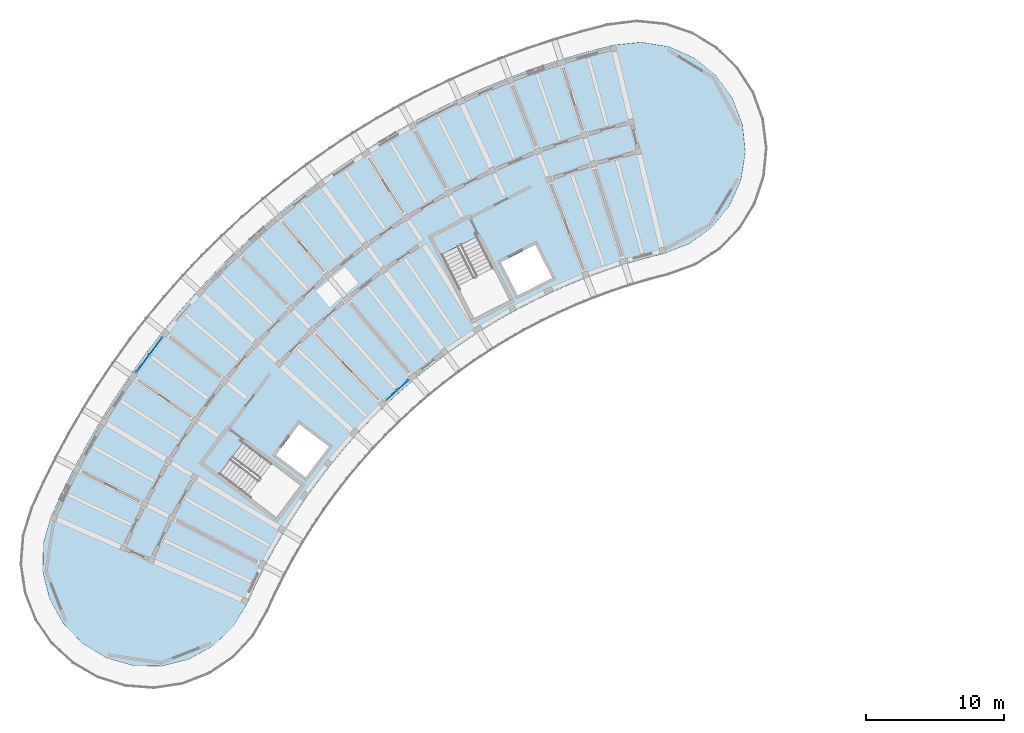
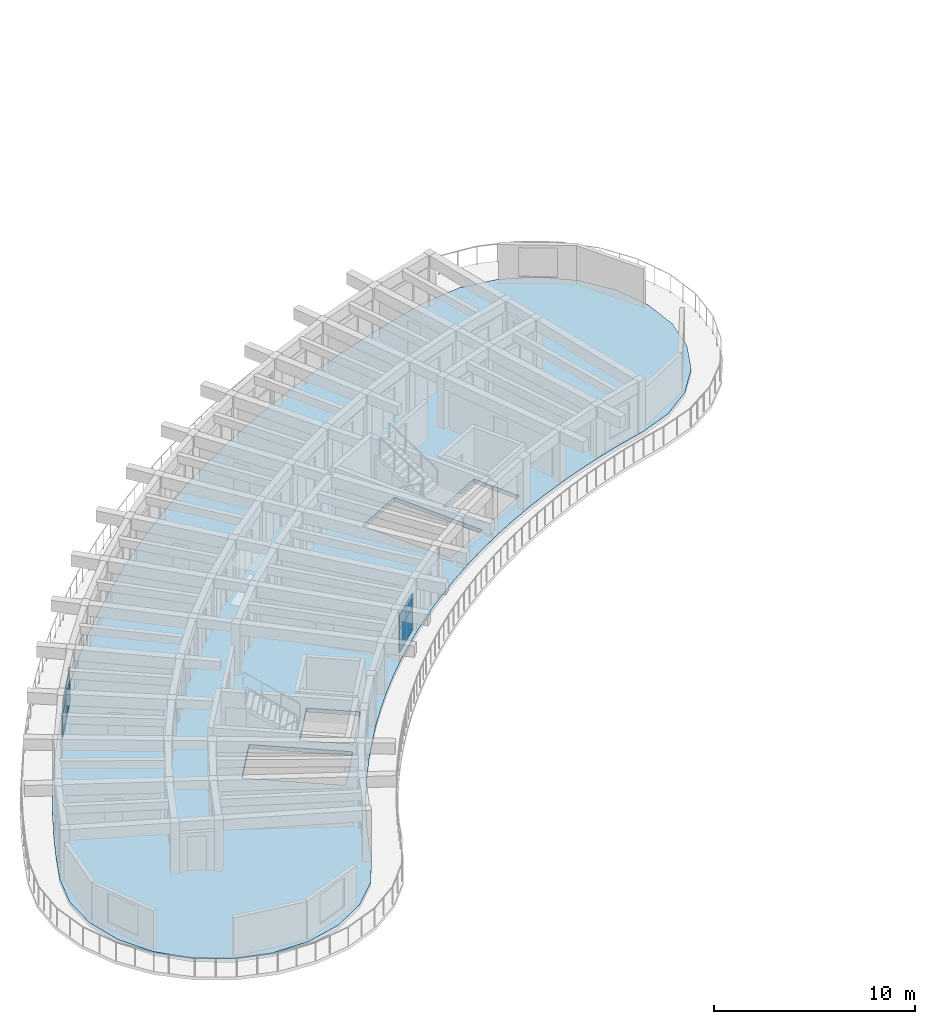
# One storey, part 15 of 32: 8 plates, 1 slab, 2 elements without a shape of their own.
"""IFC4 building model written with IfcOpenShell, lengths in metres."""

import ifcopenshell
import ifcopenshell.guid

model = None  # the IFC model being written
_history = None  # IfcOwnerHistory: only IFC2X3 demands one
_inside = {}  # id of a spatial element -> (the spatial element, [elements in it])
_under = {}  # id of a project, library or spatial element -> (it, [spatial elements below it])
_declared = {}  # id of a project -> (the project, [libraries it declares])
_typed = {}  # id of a type object -> (the type object, [elements of that type])
_made_of = {}  # id of a material, layer set ... -> (it, [elements and type objects made of it])


def new_model(schema):
    """Start an empty IFC model of exactly this schema.

    Asked for "IFC4X3", IfcOpenShell would pick the latest addendum, in which some entities
    have other attributes; the version numbers below select the first issue.
    IFC2X3 requires an IfcOwnerHistory on every rooted entity: one is made here for all.
    """
    global model, _history
    if schema == "IFC4X3":
        model = ifcopenshell.file(schema_version=(4, 3, 0, 0))
    else:
        model = ifcopenshell.file(schema=schema)
    _inside.clear()
    _under.clear()
    _declared.clear()
    _typed.clear()
    _made_of.clear()
    _history = None
    if model.schema == "IFC2X3":
        org = make("IfcOrganization", Name="unknown")
        user = make(
            "IfcPersonAndOrganization",
            ThePerson=make("IfcPerson", FamilyName="unknown"),
            TheOrganization=org,
        )
        app = make(
            "IfcApplication",
            ApplicationDeveloper=org,
            Version="unknown",
            ApplicationFullName="unknown",
            ApplicationIdentifier="unknown",
        )
        _history = make(
            "IfcOwnerHistory",
            OwningUser=user,
            OwningApplication=app,
            ChangeAction="ADDED",
            CreationDate=0,
        )
    return model


def make(cls, **values):
    """One entity of the class cls with the attributes given. An attribute that is None is left unset."""
    return model.create_entity(
        cls, **{name: value for name, value in values.items() if value is not None}
    )


def rooted(cls, **values):
    """An entity with a GlobalId (a new one), such as an element, a storey or a relation."""
    return make(cls, GlobalId=ifcopenshell.guid.new(), OwnerHistory=_history, **values)


def si_unit(unit_type, name, prefix=None):
    """IfcSIUnit, for example si_unit("LENGTHUNIT", "METRE", prefix="MILLI")."""
    return make("IfcSIUnit", UnitType=unit_type, Prefix=prefix, Name=name)


def assignment(units):
    """IfcUnitAssignment: the units of a project."""
    return None if units is None else make("IfcUnitAssignment", Units=units)


def point(xyz):
    """IfcCartesianPoint."""
    return None if xyz is None else make("IfcCartesianPoint", Coordinates=xyz)


def direction(xyz):
    """IfcDirection."""
    return None if xyz is None else make("IfcDirection", DirectionRatios=xyz)


def frame(location, z_axis=None, x_axis=None):
    """IfcAxis2Placement3D, a coordinate frame: its origin and axes. An axis left out is left unset."""
    return make(
        "IfcAxis2Placement3D",
        Location=point(location),
        Axis=direction(z_axis),
        RefDirection=direction(x_axis),
    )


def frame_2d(location, x_axis=None):
    """IfcAxis2Placement2D, a coordinate frame in the plane: its origin and x axis."""
    return make(
        "IfcAxis2Placement2D", Location=point(location), RefDirection=direction(x_axis)
    )


def origin():
    """The frame at (0, 0, 0) with its axes left unset."""
    return frame((0.0, 0.0, 0.0))


def origin_2d():
    """The frame at (0, 0) in the plane with its x axis left unset."""
    return frame_2d((0.0, 0.0))


def place(relative_to, where):
    """IfcLocalPlacement: puts the frame where relative to a parent placement (None: the world)."""
    return make(
        "IfcLocalPlacement", PlacementRelTo=relative_to, RelativePlacement=where
    )


def context(
    kind, dimensions, precision=None, world=None, true_north=None, identifier=None
):
    """IfcGeometricRepresentationContext, for example the 3D "Model" context."""
    return make(
        "IfcGeometricRepresentationContext",
        ContextIdentifier=identifier,
        ContextType=kind,
        CoordinateSpaceDimension=dimensions,
        Precision=precision,
        WorldCoordinateSystem=world,
        TrueNorth=true_north,
    )


def subcontext(parent, identifier, kind, view, scale=None):
    """IfcGeometricRepresentationSubContext, for example "Body" below "Model"."""
    return make(
        "IfcGeometricRepresentationSubContext",
        ContextIdentifier=identifier,
        ContextType=kind,
        ParentContext=parent,
        TargetScale=scale,
        TargetView=view,
    )


def project(units=None, contexts=None):
    """IfcProject with its units and contexts."""
    return rooted(
        "IfcProject",
        Name="project",
        RepresentationContexts=contexts,
        UnitsInContext=assignment(units),
    )


def spatial(cls, under=None, at=None, **own):
    """A site, building, storey or space (cls), placed at a placement, below another one or the project."""
    s = rooted(cls, ObjectPlacement=at, **own)
    if under is not None:
        _under.setdefault(under.id(), (under, []))[1].append(s)
    return s


def polyline(points):
    """IfcPolyline through the points."""
    return make("IfcPolyline", Points=[point(p) for p in points])


def profile(cls, at=None, kind="AREA", **sizes):
    """A parametric profile (cls). Its sizes go by their IFC names, for example OverallWidth=200.0."""
    return make(cls, ProfileType=kind, Position=at, **sizes)


def rectangle(**sizes):
    """IfcRectangleProfileDef."""
    return profile("IfcRectangleProfileDef", **sizes)


def outline(outer, holes=None, kind="AREA"):
    """IfcArbitraryClosedProfileDef: a profile drawn as a closed curve; with holes, ...WithVoids."""
    if holes is None:
        return make("IfcArbitraryClosedProfileDef", ProfileType=kind, OuterCurve=outer)
    return make(
        "IfcArbitraryProfileDefWithVoids",
        ProfileType=kind,
        OuterCurve=outer,
        InnerCurves=holes,
    )


def extrude(swept, where, along, depth):
    """IfcExtrudedAreaSolid: the profile swept, set in the frame where, extruded along a direction by depth."""
    return make(
        "IfcExtrudedAreaSolid",
        SweptArea=swept,
        Position=where,
        ExtrudedDirection=direction(along),
        Depth=depth,
    )


def shape(context_of_items, identifier, shape_type, items):
    """IfcShapeRepresentation: the items that make up one representation, for example the "Body"."""
    return make(
        "IfcShapeRepresentation",
        ContextOfItems=context_of_items,
        RepresentationIdentifier=identifier,
        RepresentationType=shape_type,
        Items=items,
    )


def material(Name=None, Category=None):
    """IfcMaterial."""
    return make("IfcMaterial", Name=Name, Category=Category)


def layer(
    of_material, thickness, ventilated=None, Name=None, Category=None, Priority=None
):
    """IfcMaterialLayer: one layer of a wall or slab, of a material (None: an air gap)."""
    return make(
        "IfcMaterialLayer",
        Material=of_material,
        LayerThickness=thickness,
        IsVentilated=ventilated,
        Name=Name,
        Category=Category,
        Priority=Priority,
    )


def layer_set(layers, Name=None):
    """IfcMaterialLayerSet."""
    return make("IfcMaterialLayerSet", MaterialLayers=layers, LayerSetName=Name)


def made_of(thing, what):
    """Note that an element or type object is made of a material, layer set ...; save() writes the relation."""
    if what is not None:
        _made_of.setdefault(what.id(), (what, []))[1].append(thing)
    return thing


def type_object(cls, material=None, **own):
    """A type object (cls), such as IfcWallType, which elements share."""
    return made_of(rooted(cls, **own), material)


def element(
    cls,
    number,
    at=None,
    inside=None,
    cuts=None,
    type_object=None,
    material=None,
    context=None,
    identifier="Body",
    shape_type=None,
    held_by="IfcProductDefinitionShape",
    body=None,
    shapes=None,
    **own,
):
    """One element of the class cls, such as IfcWall. Its Tag is "e" and its number.

    at: its placement. inside: the storey or other place that contains it. cuts: it is an
    opening in that element (IfcRelVoidsElement). A single representation is given by context,
    identifier, shape_type and body (its items); several are given by shapes. held_by: the class
    of the entity that holds the representations. save() writes the other relations.
    """
    e = rooted(cls, Tag="e%d" % number, ObjectPlacement=at, **own)
    if body is not None:
        shapes = [shape(context, identifier, shape_type, body)]
    if shapes is not None:
        e.Representation = make(held_by, Representations=shapes)
    if inside is not None:
        _inside.setdefault(inside.id(), (inside, []))[1].append(e)
    if cuts is not None:
        rooted(
            "IfcRelVoidsElement", RelatingBuildingElement=cuts, RelatedOpeningElement=e
        )
    if type_object is not None:
        _typed.setdefault(type_object.id(), (type_object, []))[1].append(e)
    return made_of(e, material)


def aggregate(whole, parts):
    """IfcRelAggregates: a whole, such as a stair, and the parts it consists of."""
    return rooted("IfcRelAggregates", RelatingObject=whole, RelatedObjects=parts)


def save(model, path):
    """Write the relations noted so far, then the file.

    IfcRelAggregates (storeys below a building ...), IfcRelContainedInSpatialStructure (elements
    in a storey), IfcRelDefinesByType, IfcRelAssociatesMaterial and IfcRelDeclares: one each for
    every whole, place, type object, material and project.
    """
    for whole, parts in _under.values():
        aggregate(whole, parts)
    for where, things in _inside.values():
        rooted(
            "IfcRelContainedInSpatialStructure",
            RelatedElements=things,
            RelatingStructure=where,
        )
    for kind, things in _typed.values():
        rooted("IfcRelDefinesByType", RelatedObjects=things, RelatingType=kind)
    for what, things in _made_of.values():
        rooted("IfcRelAssociatesMaterial", RelatedObjects=things, RelatingMaterial=what)
    for by, libraries in _declared.values():
        rooted("IfcRelDeclares", RelatingContext=by, RelatedDefinitions=libraries)
    model.write(path)


model = new_model("IFC4")

# Units and contexts
model_context = context("Model", 3, precision=1e-05, world=origin(), true_north=direction((0.0, 1.0)))
body_context = subcontext(model_context, "Body", "Model", "MODEL_VIEW")
ifc_project = project(units=[si_unit("LENGTHUNIT", "METRE"), si_unit("AREAUNIT", "SQUARE_METRE"), si_unit("VOLUMEUNIT", "CUBIC_METRE"), si_unit("PLANEANGLEUNIT", "RADIAN"), si_unit("MASSUNIT", "GRAM", prefix="KILO")], contexts=[model_context])

# Site, building, storey
site_placement = place(None, origin())
site = spatial("IfcSite", under=ifc_project, at=site_placement, CompositionType="ELEMENT")
building_placement = place(site_placement, origin())
building = spatial("IfcBuilding", under=site, at=building_placement, Name="Tanwirah Colonnade Gardens", CompositionType="ELEMENT")
storey_placement = place(building_placement, frame((0.0, 0.0, 42.43994140625)))
storey = spatial("IfcBuildingStorey", under=building, at=storey_placement, Name="L12", CompositionType="ELEMENT", Elevation=42.43994140625)

# Curtain wall, plates
ifc_material_1 = material(Name="Bronze-anodised aluminium and solar-control low-E glass", Category="aluminium")
curtain_wall_type_1 = type_object("IfcCurtainWallType", Name="CW-GDN", PredefinedType="NOTDEFINED", material=ifc_material_1)
curtain_wall_1_placement = place(storey_placement, origin())
curtain_wall_1 = element("IfcCurtainWall", 1, at=curtain_wall_1_placement, inside=storey, type_object=curtain_wall_type_1, Name="Curtain Wall CW-A-L12-IN-09", PredefinedType="NOTDEFINED")
ifc_material_2 = material(Name="Solar-control low-E double glazing", Category="glass")
ifc_layer_1 = layer(ifc_material_2, 0.028076171875)
ifc_layer_set_1 = layer_set([ifc_layer_1], Name="Solar-control low-E double glazing")
plate_type = type_object("IfcPlateType", Name="CWP-GLZ28", PredefinedType="CURTAIN_PANEL", material=ifc_layer_set_1)
plate_1_placement = place(storey_placement, frame((35.737548828125, 93.63134765625, 0.06005859375), z_axis=(0.0, 0.0, 1.0), x_axis=(-0.744440162253, -0.667689182798, 0.0)))
plate_1 = element("IfcPlate", 2, at=plate_1_placement, type_object=plate_type, Name="CW-GDN panel 1.1", PredefinedType="CURTAIN_PANEL", context=body_context, shape_type="SweptSolid", body=[
    extrude(rectangle(XDim=1.01513671875, YDim=0.028076171875, at=origin_2d()), origin(), (0.0, 0.0, 1.0), 1.3701171875),
])
plate_2_placement = place(storey_placement, frame((35.737548828125, 93.63134765625, 1.490234375), z_axis=(0.0, 0.0, 1.0), x_axis=(-0.744440162253, -0.667689182798, 0.0)))
plate_2 = element("IfcPlate", 3, at=plate_2_placement, type_object=plate_type, Name="CW-GDN panel 1.2", PredefinedType="CURTAIN_PANEL", context=body_context, shape_type="SweptSolid", body=[
    extrude(rectangle(XDim=1.01513671875, YDim=0.028076171875, at=origin_2d()), origin(), (0.0, 0.0, 1.0), 0.804931640625),
])
plate_3_placement = place(storey_placement, frame((34.937255859375, 92.91357421875, 0.06005859375), z_axis=(0.0, 0.0, 1.0), x_axis=(-0.744440162253, -0.667689182798, 0.0)))
plate_3 = element("IfcPlate", 4, at=plate_3_placement, type_object=plate_type, Name="CW-GDN panel 2.1", PredefinedType="CURTAIN_PANEL", context=body_context, shape_type="SweptSolid", body=[
    extrude(rectangle(XDim=1.01513671875, YDim=0.028076171875, at=origin_2d()), origin(), (0.0, 0.0, 1.0), 1.3701171875),
])
plate_4_placement = place(storey_placement, frame((34.937255859375, 92.91357421875, 1.490234375), z_axis=(0.0, 0.0, 1.0), x_axis=(-0.744440162253, -0.667689182798, 0.0)))
plate_4 = element("IfcPlate", 5, at=plate_4_placement, type_object=plate_type, Name="CW-GDN panel 2.2", PredefinedType="CURTAIN_PANEL", context=body_context, shape_type="SweptSolid", body=[
    extrude(rectangle(XDim=1.01513671875, YDim=0.028076171875, at=origin_2d()), origin(), (0.0, 0.0, 1.0), 0.804931640625),
])
aggregate(curtain_wall_1, [plate_1, plate_2, plate_3, plate_4])

curtain_wall_type_2 = type_object("IfcCurtainWallType", Name="CW-LOB", PredefinedType="NOTDEFINED", material=ifc_material_1)
curtain_wall_2_placement = place(storey_placement, origin())
curtain_wall_2 = element("IfcCurtainWall", 6, at=curtain_wall_2_placement, inside=storey, type_object=curtain_wall_type_2, Name="Curtain Wall CW-A-L12-OUT-12", PredefinedType="NOTDEFINED")
plate_5_placement = place(storey_placement, frame((17.79931640625, 96.4638671875, 0.06005859375), z_axis=(0.0, 0.0, 1.0), x_axis=(-0.598714016682, -0.800962874439, 0.0)))
plate_5 = element("IfcPlate", 7, at=plate_5_placement, type_object=plate_type, Name="CW-LOB panel 1.1", PredefinedType="CURTAIN_PANEL", context=body_context, shape_type="SweptSolid", body=[
    extrude(rectangle(XDim=1.512939453125, YDim=0.028076171875, at=origin_2d()), origin(), (0.0, 0.0, 1.0), 1.3701171875),
])
plate_6_placement = place(storey_placement, frame((17.79931640625, 96.4638671875, 1.490234375), z_axis=(0.0, 0.0, 1.0), x_axis=(-0.598714016682, -0.800962874439, 0.0)))
plate_6 = element("IfcPlate", 8, at=plate_6_placement, type_object=plate_type, Name="CW-LOB panel 1.2", PredefinedType="CURTAIN_PANEL", context=body_context, shape_type="SweptSolid", body=[
    extrude(rectangle(XDim=1.512939453125, YDim=0.028076171875, at=origin_2d()), origin(), (0.0, 0.0, 1.0), 0.804931640625),
])
plate_7_placement = place(storey_placement, frame((16.857666015625, 95.2041015625, 0.06005859375), z_axis=(0.0, 0.0, 1.0), x_axis=(-0.598714016682, -0.800962874439, 0.0)))
plate_7 = element("IfcPlate", 9, at=plate_7_placement, type_object=plate_type, Name="CW-LOB panel 2.1", PredefinedType="CURTAIN_PANEL", context=body_context, shape_type="SweptSolid", body=[
    extrude(rectangle(XDim=1.512939453125, YDim=0.028076171875, at=origin_2d()), origin(), (0.0, 0.0, 1.0), 1.3701171875),
])
plate_8_placement = place(storey_placement, frame((16.857666015625, 95.2041015625, 1.490234375), z_axis=(0.0, 0.0, 1.0), x_axis=(-0.598714016682, -0.800962874439, 0.0)))
plate_8 = element("IfcPlate", 10, at=plate_8_placement, type_object=plate_type, Name="CW-LOB panel 2.2", PredefinedType="CURTAIN_PANEL", context=body_context, shape_type="SweptSolid", body=[
    extrude(rectangle(XDim=1.512939453125, YDim=0.028076171875, at=origin_2d()), origin(), (0.0, 0.0, 1.0), 0.804931640625),
])
aggregate(curtain_wall_2, [plate_5, plate_6, plate_7, plate_8])

# Slab
ifc_material_3 = material(Name="Precast concrete C40/50", Category="concrete")
ifc_layer_2 = layer(ifc_material_3, 0.239990234375)
ifc_layer_set_2 = layer_set([ifc_layer_2], Name="Precast concrete C40/50")
slab_type = type_object("IfcSlabType", Name="SL-RES-240", PredefinedType="FLOOR", material=ifc_layer_set_2)
slab_placement = place(storey_placement, frame((0.0, 0.0, -0.239990234375)))
element("IfcSlab", 11, at=slab_placement, inside=storey, type_object=slab_type, Name="Block A L12 Precast Composite Floor Slab", PredefinedType="FLOOR", context=body_context, shape_type="SweptSolid", body=[
    extrude(outline(polyline([(51.83154296875, 102.392822265625), (53.229248046875, 102.803955078125), (54.64013671875, 103.168701171875), (56.540283203125, 103.900390625), (58.1865234375, 105.0986328125), (59.46630859375, 106.682373046875), (60.292724609375, 108.54345703125), (60.609375, 110.554931640625), (60.39453125, 112.57958984375), (59.6630859375, 114.47998046875), (58.464599609375, 116.1259765625), (56.880859375, 117.406005859375), (55.019775390625, 118.232421875), (53.008544921875, 118.549072265625), (50.983642578125, 118.334228515625), (49.074951171875, 117.840576171875), (47.183837890625, 117.284423828125), (45.311767578125, 116.666015625), (43.46142578125, 115.986328125), (41.63427734375, 115.24609375), (39.83251953125, 114.446044921875), (38.05810546875, 113.587158203125), (36.313232421875, 112.669921875), (34.599365234375, 111.696044921875), (32.91845703125, 110.666015625), (31.2724609375, 109.5810546875), (29.6630859375, 108.442626953125), (28.092041015625, 107.25146484375), (26.561279296875, 106.009521484375), (25.072265625, 104.717529296875), (23.62646484375, 103.377197265625), (22.225830078125, 101.990234375), (20.87158203125, 100.5576171875), (19.5654296875, 99.0810546875), (18.30859375, 97.562255859375), (17.102294921875, 96.0029296875), (15.9482421875, 94.40478515625), (14.847412109375, 92.76953125), (13.80126953125, 91.0986328125), (12.810546875, 89.394287109375), (11.876708984375, 87.658203125), (11.00048828125, 85.892333984375), (10.182861328125, 84.098388671875), (9.619873046875, 82.1416015625), (9.582275390625, 80.105712890625), (10.072998046875, 78.12939453125), (11.058349609375, 76.34765625), (12.471435546875, 74.881591796875), (14.2158203125, 73.8310546875), (16.172607421875, 73.26806640625), (18.20849609375, 73.23046875), (20.1845703125, 73.72119140625), (21.966552734375, 74.70654296875), (23.4326171875, 76.11962890625), (24.483154296875, 77.864013671875), (25.08740234375, 79.18994140625), (25.73486328125, 80.4951171875), (26.42529296875, 81.7783203125), (27.157470703125, 83.0380859375), (27.9306640625, 84.27294921875), (28.744384765625, 85.48193359375), (29.597412109375, 86.6630859375), (30.489013671875, 87.815673828125), (31.41796875, 88.938232421875), (32.38330078125, 90.029541015625), (33.38427734375, 91.08837890625), (34.419677734375, 92.11376953125), (35.48828125, 93.104248046875), (36.5888671875, 94.05908203125), (37.72021484375, 94.977294921875), (38.88134765625, 95.857421875), (40.07080078125, 96.698974609375), (41.28759765625, 97.5009765625), (42.52978515625, 98.26220703125), (43.796630859375, 98.982177734375), (45.08642578125, 99.659912109375), (46.39794921875, 100.294921875), (47.729736328125, 100.88623046875), (49.080078125, 101.433349609375), (50.447998046875, 101.935791015625), (51.83154296875, 102.392822265625)]), holes=[polyline([(41.13427734375, 104.433349609375), (43.49365234375, 99.802734375), (40.897216796875, 98.479736328125), (38.537841796875, 103.1103515625), (41.13427734375, 104.433349609375)]), polyline([(46.574462890625, 101.428466796875), (44.07958984375, 100.157470703125), (42.853759765625, 102.563232421875), (45.3486328125, 103.834228515625), (46.574462890625, 101.428466796875)]), polyline([(26.555908203125, 84.039794921875), (22.4052734375, 87.16748046875), (24.158935546875, 89.49462890625), (28.3095703125, 86.366943359375), (26.555908203125, 84.039794921875)]), polyline([(26.5244140625, 88.5673828125), (28.20947265625, 90.8037109375), (30.36572265625, 89.1787109375), (28.6806640625, 86.942626953125), (26.5244140625, 88.5673828125)])]), origin(), (0.0, 0.0, 1.0), 0.239990234375),
])

save(model, "model.ifc")
